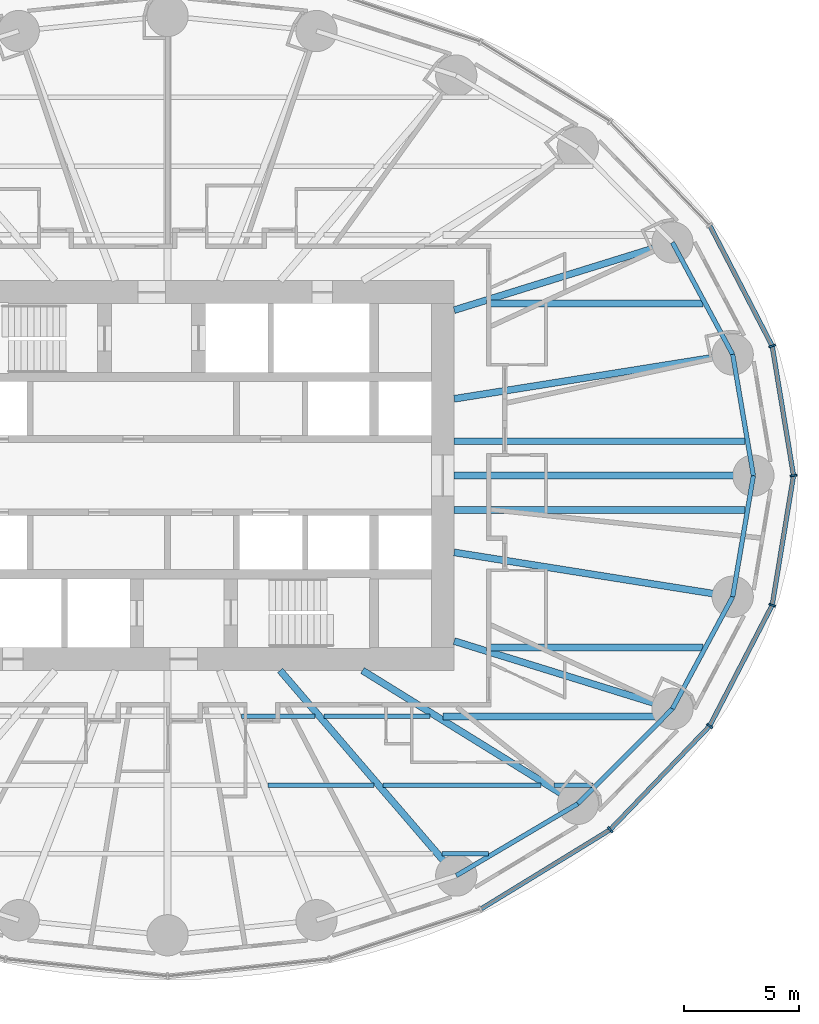
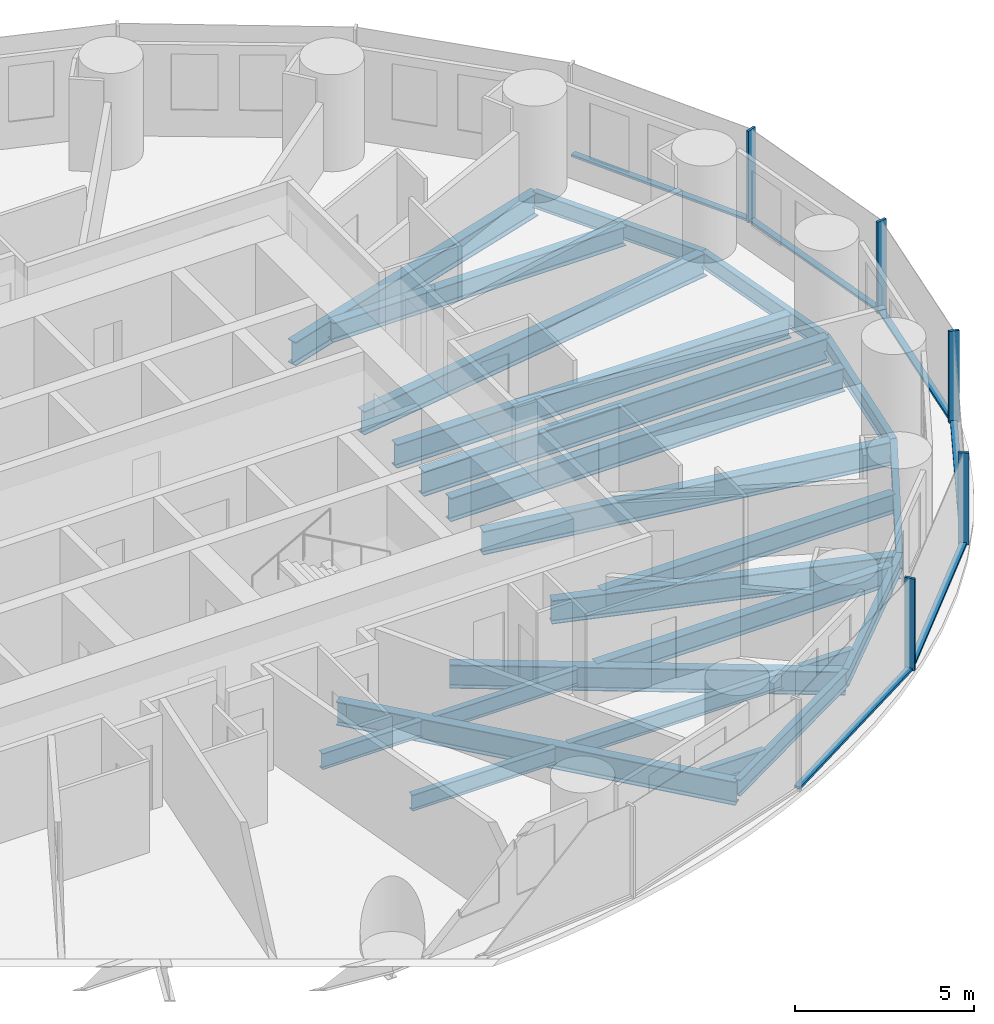
# One storey, part 3 of 14: 24 beams, 11 members, 2 elements without a shape of their own.
"""IFC4 building model written with IfcOpenShell, lengths in metres."""

from ifc_helpers import new_model, si_unit, direction, frame, origin, origin_2d, place, context, subcontext, project, spatial, rectangle, i_section, extrude, material, material_profile, profile_set, type_object, element, aggregate, save


model = new_model("IFC4")

# Units and contexts
model_context = context("Model", 3, precision=1e-05, world=origin(), true_north=direction((0.0, 1.0)))
body_context = subcontext(model_context, "Body", "Model", "MODEL_VIEW")
ifc_project = project(units=[si_unit("LENGTHUNIT", "METRE"), si_unit("AREAUNIT", "SQUARE_METRE"), si_unit("VOLUMEUNIT", "CUBIC_METRE"), si_unit("PLANEANGLEUNIT", "RADIAN"), si_unit("MASSUNIT", "GRAM", prefix="KILO")], contexts=[model_context])

# Site, building, storey
site_placement = place(None, origin())
site = spatial("IfcSite", under=ifc_project, at=site_placement, CompositionType="ELEMENT")
building_placement = place(site_placement, origin())
building = spatial("IfcBuilding", under=site, at=building_placement, Name="Hankou Lantern Tower", CompositionType="ELEMENT")
storey_placement = place(building_placement, frame((0.0, 0.0, 36.0)))
storey = spatial("IfcBuildingStorey", under=building, at=storey_placement, Name="L07", CompositionType="ELEMENT", Elevation=36.0)

# Beams
ifc_material_1 = material(Name="Steel Q355B", Category="steel")
ifc_material_profile_1 = material_profile(ifc_material_1, i_section(OverallWidth=0.199951171875, OverallDepth=0.550048828125, WebThickness=0.010009765625, FlangeThickness=0.01611328125, FilletRadius=0.012939453125, at=origin_2d()), Name="HN550x200x10x16")
ifc_profile_set_1 = profile_set([ifc_material_profile_1], Name="Steel Q355B")
beam_type_1 = type_object("IfcBeamType", Name="EB6 RING BEAM HN550x200x10x16", PredefinedType="SPANDREL", material=ifc_profile_set_1)
beam_1_placement = place(storey_placement, frame((25.550048828125, 0.0, -0.455078125), z_axis=(-0.168489691988, 0.985703415685, 0.0), x_axis=(-0.985703415685, -0.168489691988, 0.0)))
element("IfcBeam", 1, at=beam_1_placement, inside=storey, type_object=beam_type_1, Name="Ring beam R01-R02 L07", PredefinedType="SPANDREL", context=body_context, shape_type="SweptSolid", body=[
    extrude(i_section(OverallWidth=0.199951171875, OverallDepth=0.550048828125, WebThickness=0.010009765625, FlangeThickness=0.01611328125, FilletRadius=0.012939453125, at=origin_2d()), origin(), (0.0, 0.0, 1.0), 5.35986328125),
])
beam_2_placement = place(storey_placement, frame((24.64697265625, 5.283203125, -0.455078125), z_axis=(-0.473609096023, 0.880735161194, 0.0), x_axis=(-0.880735161194, -0.473609096023, 0.0)))
element("IfcBeam", 2, at=beam_2_placement, inside=storey, type_object=beam_type_1, Name="Ring beam R02-R03 L07", PredefinedType="SPANDREL", context=body_context, shape_type="SweptSolid", body=[
    extrude(i_section(OverallWidth=0.199951171875, OverallDepth=0.550048828125, WebThickness=0.010009765625, FlangeThickness=0.01611328125, FilletRadius=0.012939453125, at=origin_2d()), origin(), (0.0, 0.0, 1.0), 5.548828125),
])
beam_3_placement = place(storey_placement, frame((12.5908203125, -17.446533203125, -0.455078125), z_axis=(0.860881533543, 0.508805449268, 0.0), x_axis=(-0.508805449268, 0.860881533543, 0.0)))
element("IfcBeam", 3, at=beam_3_placement, inside=storey, type_object=beam_type_1, Name="Ring beam R21-R22 L07", PredefinedType="SPANDREL", context=body_context, shape_type="SweptSolid", body=[
    extrude(i_section(OverallWidth=0.199951171875, OverallDepth=0.550048828125, WebThickness=0.010009765625, FlangeThickness=0.01611328125, FilletRadius=0.012939453125, at=origin_2d()), origin(), (0.0, 0.0, 1.0), 6.15771484375),
])
beam_4_placement = place(storey_placement, frame((17.891845703125, -14.3134765625, -0.455078125), z_axis=(0.705727798394, 0.708483079949, 0.0), x_axis=(-0.708483079949, 0.705727798394, 0.0)))
element("IfcBeam", 4, at=beam_4_placement, inside=storey, type_object=beam_type_1, Name="Ring beam R22-R23 L07", PredefinedType="SPANDREL", context=body_context, shape_type="SweptSolid", body=[
    extrude(i_section(OverallWidth=0.199951171875, OverallDepth=0.550048828125, WebThickness=0.010009765625, FlangeThickness=0.01611328125, FilletRadius=0.012939453125, at=origin_2d()), origin(), (0.0, 0.0, 1.0), 5.84814453125),
])
beam_5_placement = place(storey_placement, frame((22.01904296875, -10.170166015625, -0.455078125), z_axis=(0.473609096023, 0.880735161194, 0.0), x_axis=(-0.880735161194, 0.473609096023, 0.0)))
element("IfcBeam", 5, at=beam_5_placement, inside=storey, type_object=beam_type_1, Name="Ring beam R23-R24 L07", PredefinedType="SPANDREL", context=body_context, shape_type="SweptSolid", body=[
    extrude(i_section(OverallWidth=0.199951171875, OverallDepth=0.550048828125, WebThickness=0.010009765625, FlangeThickness=0.01611328125, FilletRadius=0.012939453125, at=origin_2d()), origin(), (0.0, 0.0, 1.0), 5.548828125),
])
beam_6_placement = place(storey_placement, frame((24.64697265625, -5.283203125, -0.455078125), z_axis=(0.168489691988, 0.985703415685, 0.0), x_axis=(-0.985703415685, 0.168489691988, 0.0)))
element("IfcBeam", 6, at=beam_6_placement, inside=storey, type_object=beam_type_1, Name="Ring beam R24-R01 L07", PredefinedType="SPANDREL", context=body_context, shape_type="SweptSolid", body=[
    extrude(i_section(OverallWidth=0.199951171875, OverallDepth=0.550048828125, WebThickness=0.010009765625, FlangeThickness=0.01611328125, FilletRadius=0.012939453125, at=origin_2d()), origin(), (0.0, 0.0, 1.0), 5.35986328125),
])

# Curtain wall, members
ifc_material_2 = material(Name="Glass, dark grey tinted laminated", Category="glass")
curtain_wall_type = type_object("IfcCurtainWallType", Name="CWA OUTER SKIN LOW-RISE", PredefinedType="USERDEFINED", material=ifc_material_2)
curtain_wall_1_placement = place(storey_placement, origin())
curtain_wall_1 = element("IfcCurtainWall", 7, at=curtain_wall_1_placement, inside=storey, type_object=curtain_wall_type, Name="CWA L07 OS1", ObjectType="OUTER SKIN LOW-RISE", PredefinedType="USERDEFINED")
ifc_material_3 = material(Name="Aluminium, black anodised", Category="aluminium")
ifc_material_profile_2 = material_profile(ifc_material_3, rectangle(XDim=0.080078125, YDim=0.300048828125, at=origin_2d()), Name="MU1 80X300")
ifc_profile_set_2 = profile_set([ifc_material_profile_2], Name="Aluminium, black anodised")
member_type_1 = type_object("IfcMemberType", Name="MU1 OUTER SKIN MULLION 80X300", PredefinedType="MULLION", material=ifc_profile_set_2)
member_1_placement = place(storey_placement, frame((27.300048828125, 0.0, 0.0), z_axis=(0.0, 0.0, 1.0), x_axis=(-0.162381515188, 0.986728049427, 0.0)))
member_1 = element("IfcMember", 8, at=member_1_placement, type_object=member_type_1, Name="CWA mullion 1", PredefinedType="MULLION", context=body_context, shape_type="SweptSolid", body=[
    extrude(rectangle(XDim=0.080078125, YDim=0.300048828125, at=origin_2d()), origin(), (0.0, 0.0, 1.0), 3.1201171875),
])
member_2_placement = place(storey_placement, frame((26.369873046875, 5.652587890625, 0.0), z_axis=(0.0, 0.0, 1.0), x_axis=(-0.317595577365, 0.94822626479, 0.0)))
member_2 = element("IfcMember", 9, at=member_2_placement, type_object=member_type_1, Name="CWA mullion 2", PredefinedType="MULLION", context=body_context, shape_type="SweptSolid", body=[
    extrude(rectangle(XDim=0.080078125, YDim=0.300048828125, at=origin_2d()), origin(), (0.0, 0.0, 1.0), 3.1201171875),
])

curtain_wall_2_placement = place(storey_placement, origin())
curtain_wall_2 = element("IfcCurtainWall", 10, at=curtain_wall_2_placement, inside=storey, type_object=curtain_wall_type, Name="CWA L07 OS4", ObjectType="OUTER SKIN LOW-RISE", PredefinedType="USERDEFINED")
member_3_placement = place(storey_placement, frame((19.303955078125, -15.443115234375, 0.0), z_axis=(0.0, 0.0, 1.0), x_axis=(0.780868809444, 0.624695047553, 0.0)))
member_3 = element("IfcMember", 11, at=member_3_placement, type_object=member_type_1, Name="CWA mullion 4", PredefinedType="MULLION", context=body_context, shape_type="SweptSolid", body=[
    extrude(rectangle(XDim=0.080078125, YDim=0.300048828125, at=origin_2d()), origin(), (0.0, 0.0, 1.0), 3.1201171875),
])
member_4_placement = place(storey_placement, frame((23.642578125, -10.919921875, 0.0), z_axis=(0.0, 0.0, 1.0), x_axis=(0.585205735974, 0.810884854084, 0.0)))
member_4 = element("IfcMember", 12, at=member_4_placement, type_object=member_type_1, Name="CWA mullion 5", PredefinedType="MULLION", context=body_context, shape_type="SweptSolid", body=[
    extrude(rectangle(XDim=0.080078125, YDim=0.300048828125, at=origin_2d()), origin(), (0.0, 0.0, 1.0), 3.1201171875),
])
member_5_placement = place(storey_placement, frame((26.369873046875, -5.652587890625, 0.0), z_axis=(0.0, 0.0, 1.0), x_axis=(0.317595577365, 0.94822626479, 0.0)))
member_5 = element("IfcMember", 13, at=member_5_placement, type_object=member_type_1, Name="CWA mullion 6", PredefinedType="MULLION", context=body_context, shape_type="SweptSolid", body=[
    extrude(rectangle(XDim=0.080078125, YDim=0.300048828125, at=origin_2d()), origin(), (0.0, 0.0, 1.0), 3.1201171875),
])

# Beams
ifc_material_4 = material(Name="Steel Q355B", Category="steel")
ifc_material_profile_3 = material_profile(ifc_material_4, i_section(OverallWidth=0.300048828125, OverallDepth=0.800048828125, WebThickness=0.013916015625, FlangeThickness=0.02587890625, FilletRadius=0.01806640625, at=origin_2d()), Name="HN800x300x14x26")
ifc_profile_set_3 = profile_set([ifc_material_profile_3], Name="Steel Q355B")
beam_type_2 = type_object("IfcBeamType", Name="RB11 RADIAL BEAM HN800x300x14x26", PredefinedType="BEAM", material=ifc_profile_set_3)
beam_7_placement = place(storey_placement, frame((12.5, 3.349365234375, -0.580078125), z_axis=(0.987563081343, 0.157223281893, 0.0), x_axis=(-0.157223281893, 0.987563081343, 0.0)))
element("IfcBeam", 14, at=beam_7_placement, inside=storey, type_object=beam_type_2, Name="Radial beam R02 L07", PredefinedType="BEAM", context=body_context, shape_type="SweptSolid", body=[
    extrude(i_section(OverallWidth=0.300048828125, OverallDepth=0.800048828125, WebThickness=0.013916015625, FlangeThickness=0.02587890625, FilletRadius=0.01806640625, at=origin_2d()), origin(), (0.0, 0.0, 1.0), 12.300048828125),
])
beam_8_placement = place(storey_placement, frame((12.5, 7.216796875, -0.580078125), z_axis=(0.955087327755, 0.29632447817, 0.0), x_axis=(-0.29632447817, 0.955087327755, 0.0)))
element("IfcBeam", 15, at=beam_8_placement, inside=storey, type_object=beam_type_2, Name="Radial beam R03 L07", PredefinedType="BEAM", context=body_context, shape_type="SweptSolid", body=[
    extrude(i_section(OverallWidth=0.300048828125, OverallDepth=0.800048828125, WebThickness=0.013916015625, FlangeThickness=0.02587890625, FilletRadius=0.01806640625, at=origin_2d()), origin(), (0.0, 0.0, 1.0), 9.966552734375),
])
beam_9_placement = place(storey_placement, frame((4.907470703125, -8.5, -0.580078125), z_axis=(0.651519061225, -0.758632264579, 0.0), x_axis=(0.758632264579, 0.651519061225, 0.0)))
element("IfcBeam", 16, at=beam_9_placement, inside=storey, type_object=beam_type_2, Name="Radial beam R21 L07", PredefinedType="BEAM", context=body_context, shape_type="SweptSolid", body=[
    extrude(i_section(OverallWidth=0.300048828125, OverallDepth=0.800048828125, WebThickness=0.013916015625, FlangeThickness=0.02587890625, FilletRadius=0.01806640625, at=origin_2d()), origin(), (0.0, 0.0, 1.0), 11.79296875),
])
beam_10_placement = place(storey_placement, frame((8.5, -8.5, -0.580078125), z_axis=(0.850286343288, -0.526320372414, 0.0), x_axis=(0.526320372414, 0.850286343288, 0.0)))
element("IfcBeam", 17, at=beam_10_placement, inside=storey, type_object=beam_type_2, Name="Radial beam R22 L07", PredefinedType="BEAM", context=body_context, shape_type="SweptSolid", body=[
    extrude(i_section(OverallWidth=0.300048828125, OverallDepth=0.800048828125, WebThickness=0.013916015625, FlangeThickness=0.02587890625, FilletRadius=0.01806640625, at=origin_2d()), origin(), (0.0, 0.0, 1.0), 11.04541015625),
])
beam_11_placement = place(storey_placement, frame((12.5, -7.216796875, -0.580078125), z_axis=(0.955087327755, -0.29632447817, 0.0), x_axis=(0.29632447817, 0.955087327755, 0.0)))
element("IfcBeam", 18, at=beam_11_placement, inside=storey, type_object=beam_type_2, Name="Radial beam R23 L07", PredefinedType="BEAM", context=body_context, shape_type="SweptSolid", body=[
    extrude(i_section(OverallWidth=0.300048828125, OverallDepth=0.800048828125, WebThickness=0.013916015625, FlangeThickness=0.02587890625, FilletRadius=0.01806640625, at=origin_2d()), origin(), (0.0, 0.0, 1.0), 9.966552734375),
])
beam_12_placement = place(storey_placement, frame((12.5, -3.349365234375, -0.580078125), z_axis=(0.987563081343, -0.157223281893, 0.0), x_axis=(0.157223281893, 0.987563081343, 0.0)))
element("IfcBeam", 19, at=beam_12_placement, inside=storey, type_object=beam_type_2, Name="Radial beam R24 L07", PredefinedType="BEAM", context=body_context, shape_type="SweptSolid", body=[
    extrude(i_section(OverallWidth=0.300048828125, OverallDepth=0.800048828125, WebThickness=0.013916015625, FlangeThickness=0.02587890625, FilletRadius=0.01806640625, at=origin_2d()), origin(), (0.0, 0.0, 1.0), 12.300048828125),
])
ifc_material_5 = material(Name="Steel Q355B", Category="steel")
ifc_material_profile_4 = material_profile(ifc_material_5, i_section(OverallWidth=0.300048828125, OverallDepth=0.85009765625, WebThickness=0.01611328125, FlangeThickness=0.027099609375, FilletRadius=0.01806640625, at=origin_2d()), Name="HN850x300x16x27")
ifc_profile_set_4 = profile_set([ifc_material_profile_4], Name="Steel Q355B")
beam_type_3 = type_object("IfcBeamType", Name="RB12 RADIAL BEAM HN850x300x16x27", PredefinedType="BEAM", material=ifc_profile_set_4)
beam_13_placement = place(storey_placement, frame((12.5, 0.0, -0.60498046875), z_axis=(1.0, 0.0, 0.0), x_axis=(0.0, 1.0, 0.0)))
element("IfcBeam", 20, at=beam_13_placement, inside=storey, type_object=beam_type_3, Name="Radial beam R01 L07", PredefinedType="BEAM", context=body_context, shape_type="SweptSolid", body=[
    extrude(i_section(OverallWidth=0.300048828125, OverallDepth=0.85009765625, WebThickness=0.01611328125, FlangeThickness=0.027099609375, FilletRadius=0.01806640625, at=origin_2d()), origin(), (0.0, 0.0, 1.0), 13.050048828125),
])
ifc_material_6 = material(Name="Steel Q355B", Category="steel")
ifc_material_profile_5 = material_profile(ifc_material_6, i_section(OverallWidth=0.300048828125, OverallDepth=0.800048828125, WebThickness=0.013916015625, FlangeThickness=0.02587890625, FilletRadius=0.01806640625, at=origin_2d()), Name="HN800x300x14x26")
ifc_profile_set_5 = profile_set([ifc_material_profile_5], Name="Steel Q355B")
beam_type_4 = type_object("IfcBeamType", Name="SB11 SECONDARY BEAM HN800x300x14x26", PredefinedType="JOIST", material=ifc_profile_set_5)
for number, where, z_axis, x_axis, name in (
    (21, (12.5, -1.5, -0.580078125), (1.0, 0.0, 0.0), (0.0, 1.0, 0.0), "Floor joist J030 L07"),
    (22, (12.5, 1.5, -0.580078125), (1.0, 0.0, 0.0), (0.0, 1.0, 0.0), "Floor joist J032 L07"),
):
    element("IfcBeam", number, at=place(storey_placement, frame(where, z_axis=z_axis, x_axis=x_axis)), inside=storey, type_object=beam_type_4, Name=name, PredefinedType="JOIST", context=body_context, shape_type="SweptSolid", body=[
        extrude(i_section(OverallWidth=0.300048828125, OverallDepth=0.800048828125, WebThickness=0.013916015625, FlangeThickness=0.02587890625, FilletRadius=0.01806640625, at=origin_2d()), origin(), (0.0, 0.0, 1.0), 12.692138671875),
    ])
ifc_material_7 = material(Name="Steel Q355B", Category="steel")
ifc_material_profile_6 = material_profile(ifc_material_7, i_section(OverallWidth=0.199951171875, OverallDepth=0.550048828125, WebThickness=0.010009765625, FlangeThickness=0.01611328125, FilletRadius=0.012939453125, at=origin_2d()), Name="HN550x200x10x16")
ifc_profile_set_6 = profile_set([ifc_material_profile_6], Name="Steel Q355B")
beam_type_5 = type_object("IfcBeamType", Name="SB6 SECONDARY BEAM HN550x200x10x16", PredefinedType="JOIST", material=ifc_profile_set_6)
beam_14_placement = place(storey_placement, frame((11.975830078125, -16.5, -0.455078125), z_axis=(1.0, 0.0, 0.0), x_axis=(0.0, 1.0, 0.0)))
element("IfcBeam", 23, at=beam_14_placement, inside=storey, type_object=beam_type_5, Name="Floor joist J006 L07", PredefinedType="JOIST", context=body_context, shape_type="SweptSolid", body=[
    extrude(i_section(OverallWidth=0.199951171875, OverallDepth=0.550048828125, WebThickness=0.010009765625, FlangeThickness=0.01611328125, FilletRadius=0.012939453125, at=origin_2d()), origin(), (0.0, 0.0, 1.0), 2.019775390625),
])
beam_15_placement = place(storey_placement, frame((4.37451171875, -13.5, -0.455078125), z_axis=(1.0, 0.0, 0.0), x_axis=(0.0, 1.0, 0.0)))
element("IfcBeam", 24, at=beam_15_placement, inside=storey, type_object=beam_type_5, Name="Floor joist J012 L07", PredefinedType="JOIST", context=body_context, shape_type="SweptSolid", body=[
    extrude(i_section(OverallWidth=0.199951171875, OverallDepth=0.550048828125, WebThickness=0.010009765625, FlangeThickness=0.01611328125, FilletRadius=0.012939453125, at=origin_2d()), origin(), (0.0, 0.0, 1.0), 4.62939453125),
])
beam_16_placement = place(storey_placement, frame((9.3994140625, -13.5, -0.455078125), z_axis=(1.0, 0.0, 0.0), x_axis=(0.0, 1.0, 0.0)))
element("IfcBeam", 25, at=beam_16_placement, inside=storey, type_object=beam_type_5, Name="Floor joist J013 L07", PredefinedType="JOIST", context=body_context, shape_type="SweptSolid", body=[
    extrude(i_section(OverallWidth=0.199951171875, OverallDepth=0.550048828125, WebThickness=0.010009765625, FlangeThickness=0.01611328125, FilletRadius=0.012939453125, at=origin_2d()), origin(), (0.0, 0.0, 1.0), 6.893310546875),
])
beam_17_placement = place(storey_placement, frame((16.86279296875, -13.5, -0.455078125), z_axis=(1.0, 0.0, 0.0), x_axis=(0.0, 1.0, 0.0)))
element("IfcBeam", 26, at=beam_17_placement, inside=storey, type_object=beam_type_5, Name="Floor joist J014 L07", PredefinedType="JOIST", context=body_context, shape_type="SweptSolid", body=[
    extrude(i_section(OverallWidth=0.199951171875, OverallDepth=0.550048828125, WebThickness=0.010009765625, FlangeThickness=0.01611328125, FilletRadius=0.012939453125, at=origin_2d()), origin(), (0.0, 0.0, 1.0), 1.697998046875),
])
beam_18_placement = place(storey_placement, frame((3.212890625, -10.5, -0.455078125), z_axis=(1.0, 0.0, 0.0), x_axis=(0.0, 1.0, 0.0)))
element("IfcBeam", 27, at=beam_18_placement, inside=storey, type_object=beam_type_5, Name="Floor joist J020 L07", PredefinedType="JOIST", context=body_context, shape_type="SweptSolid", body=[
    extrude(i_section(OverallWidth=0.199951171875, OverallDepth=0.550048828125, WebThickness=0.010009765625, FlangeThickness=0.01611328125, FilletRadius=0.012939453125, at=origin_2d()), origin(), (0.0, 0.0, 1.0), 3.214599609375),
])
beam_19_placement = place(storey_placement, frame((6.82275390625, -10.5, -0.455078125), z_axis=(1.0, 0.0, 0.0), x_axis=(0.0, 1.0, 0.0)))
element("IfcBeam", 28, at=beam_19_placement, inside=storey, type_object=beam_type_5, Name="Floor joist J021 L07", PredefinedType="JOIST", context=body_context, shape_type="SweptSolid", body=[
    extrude(i_section(OverallWidth=0.199951171875, OverallDepth=0.550048828125, WebThickness=0.010009765625, FlangeThickness=0.01611328125, FilletRadius=0.012939453125, at=origin_2d()), origin(), (0.0, 0.0, 1.0), 4.623291015625),
])
ifc_material_8 = material(Name="Steel Q355B", Category="steel")
ifc_material_profile_7 = material_profile(ifc_material_8, i_section(OverallWidth=0.300048828125, OverallDepth=0.64990234375, WebThickness=0.010986328125, FlangeThickness=0.01708984375, FilletRadius=0.01806640625, at=origin_2d()), Name="HN650x300x11x17")
ifc_profile_set_7 = profile_set([ifc_material_profile_7], Name="Steel Q355B")
beam_type_6 = type_object("IfcBeamType", Name="SB8 SECONDARY BEAM HN650x300x11x17", PredefinedType="JOIST", material=ifc_profile_set_7)
beam_20_placement = place(storey_placement, frame((12.01611328125, -10.5, -0.5048828125), z_axis=(1.0, 0.0, 0.0), x_axis=(0.0, 1.0, 0.0)))
element("IfcBeam", 29, at=beam_20_placement, inside=storey, type_object=beam_type_6, Name="Floor joist J022 L07", PredefinedType="JOIST", context=body_context, shape_type="SweptSolid", body=[
    extrude(i_section(OverallWidth=0.300048828125, OverallDepth=0.64990234375, WebThickness=0.010986328125, FlangeThickness=0.01708984375, FilletRadius=0.01806640625, at=origin_2d()), origin(), (0.0, 0.0, 1.0), 9.533203125),
])
for number, where, z_axis, x_axis, name in (
    (30, (13.918701171875, -7.5, -0.5048828125), (1.0, 0.0, 0.0), (0.0, 1.0, 0.0), "Floor joist J024 L07"),
    (31, (13.918701171875, 7.5, -0.5048828125), (1.0, 0.0, 0.0), (0.0, 1.0, 0.0), "Floor joist J038 L07"),
):
    element("IfcBeam", number, at=place(storey_placement, frame(where, z_axis=z_axis, x_axis=x_axis)), inside=storey, type_object=beam_type_6, Name=name, PredefinedType="JOIST", context=body_context, shape_type="SweptSolid", body=[
        extrude(i_section(OverallWidth=0.300048828125, OverallDepth=0.64990234375, WebThickness=0.010986328125, FlangeThickness=0.01708984375, FilletRadius=0.01806640625, at=origin_2d()), origin(), (0.0, 0.0, 1.0), 9.4228515625),
    ])

# Member
ifc_material_9 = material(Name="Aluminium, black anodised", Category="aluminium")
ifc_material_profile_8 = material_profile(ifc_material_9, rectangle(XDim=0.199951171875, YDim=0.080078125, at=origin_2d()), Name="TR1 200X80")
ifc_profile_set_8 = profile_set([ifc_material_profile_8], Name="Aluminium, black anodised")
member_type_2 = type_object("IfcMemberType", Name="TR1 OUTER SKIN TRANSOM 200X80", PredefinedType="USERDEFINED", material=ifc_profile_set_8)
member_6_placement = place(storey_placement, frame((27.29345703125, 0.03955078125, 0.0400390625), z_axis=(-0.162387045529, 0.986727139307, 0.0), x_axis=(-0.986727139307, -0.162387045529, 0.0)))
member_6 = element("IfcMember", 32, at=member_6_placement, type_object=member_type_2, Name="CWA transom 1", ObjectType="TRANSOM", PredefinedType="USERDEFINED", context=body_context, shape_type="SweptSolid", body=[
    extrude(rectangle(XDim=0.199951171875, YDim=0.080078125, at=origin_2d()), origin(), (0.0, 0.0, 1.0), 5.6484375),
])

member_7_placement = place(storey_placement, frame((26.351318359375, 5.688232421875, 0.0400390625), z_axis=(-0.459786096495, 0.888029698529, 0.0), x_axis=(-0.888029698529, -0.459786096495, 0.0)))
member_7 = element("IfcMember", 33, at=member_7_placement, type_object=member_type_2, Name="CWA transom 2", ObjectType="TRANSOM", PredefinedType="USERDEFINED", context=body_context, shape_type="SweptSolid", body=[
    extrude(rectangle(XDim=0.199951171875, YDim=0.080078125, at=origin_2d()), origin(), (0.0, 0.0, 1.0), 5.8515625),
])

aggregate(curtain_wall_1, [member_1, member_2, member_6, member_7])

member_8_placement = place(storey_placement, frame((13.68408203125, -18.89306640625, 0.0400390625), z_axis=(0.85223969557, 0.523151508929, 0.0), x_axis=(-0.523151508929, 0.85223969557, 0.0)))
member_8 = element("IfcMember", 34, at=member_8_placement, type_object=member_type_2, Name="CWA transom 3", ObjectType="TRANSOM", PredefinedType="USERDEFINED", context=body_context, shape_type="SweptSolid", body=[
    extrude(rectangle(XDim=0.199951171875, YDim=0.080078125, at=origin_2d()), origin(), (0.0, 0.0, 1.0), 6.554443359375),
])

member_9_placement = place(storey_placement, frame((19.331787109375, -15.414306640625, 0.0400390625), z_axis=(0.692215537374, 0.721690827029, 0.0), x_axis=(-0.721690827029, 0.692215537374, 0.0)))
member_9 = element("IfcMember", 35, at=member_9_placement, type_object=member_type_2, Name="CWA transom 4", ObjectType="TRANSOM", PredefinedType="USERDEFINED", context=body_context, shape_type="SweptSolid", body=[
    extrude(rectangle(XDim=0.199951171875, YDim=0.080078125, at=origin_2d()), origin(), (0.0, 0.0, 1.0), 6.187255859375),
])

member_10_placement = place(storey_placement, frame((23.660888671875, -10.884521484375, 0.0400390625), z_axis=(0.459786096495, 0.888029698529, 0.0), x_axis=(-0.888029698529, 0.459786096495, 0.0)))
member_10 = element("IfcMember", 36, at=member_10_placement, type_object=member_type_2, Name="CWA transom 5", ObjectType="TRANSOM", PredefinedType="USERDEFINED", context=body_context, shape_type="SweptSolid", body=[
    extrude(rectangle(XDim=0.199951171875, YDim=0.080078125, at=origin_2d()), origin(), (0.0, 0.0, 1.0), 5.8515625),
])

member_11_placement = place(storey_placement, frame((26.376220703125, -5.613037109375, 0.0400390625), z_axis=(0.162387045529, 0.986727139307, 0.0), x_axis=(-0.986727139307, 0.162387045529, 0.0)))
member_11 = element("IfcMember", 37, at=member_11_placement, type_object=member_type_2, Name="CWA transom 6", ObjectType="TRANSOM", PredefinedType="USERDEFINED", context=body_context, shape_type="SweptSolid", body=[
    extrude(rectangle(XDim=0.199951171875, YDim=0.080078125, at=origin_2d()), origin(), (0.0, 0.0, 1.0), 5.6484375),
])

aggregate(curtain_wall_2, [member_3, member_4, member_5, member_8, member_9, member_10, member_11])

save(model, "model.ifc")
